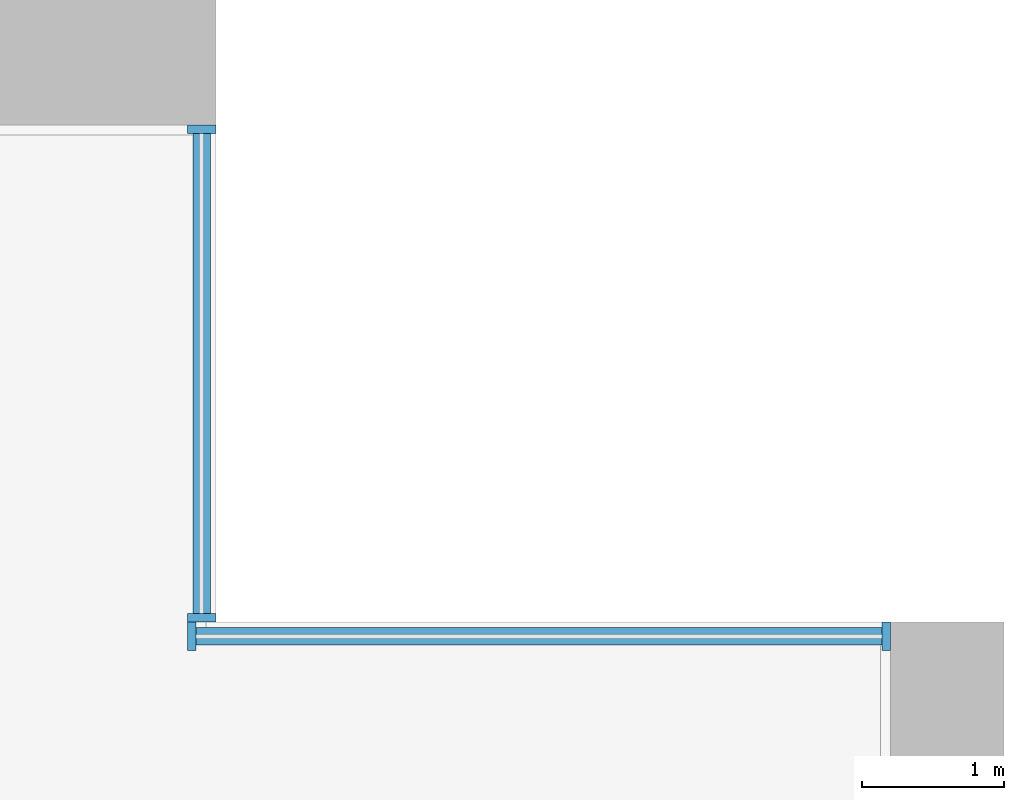
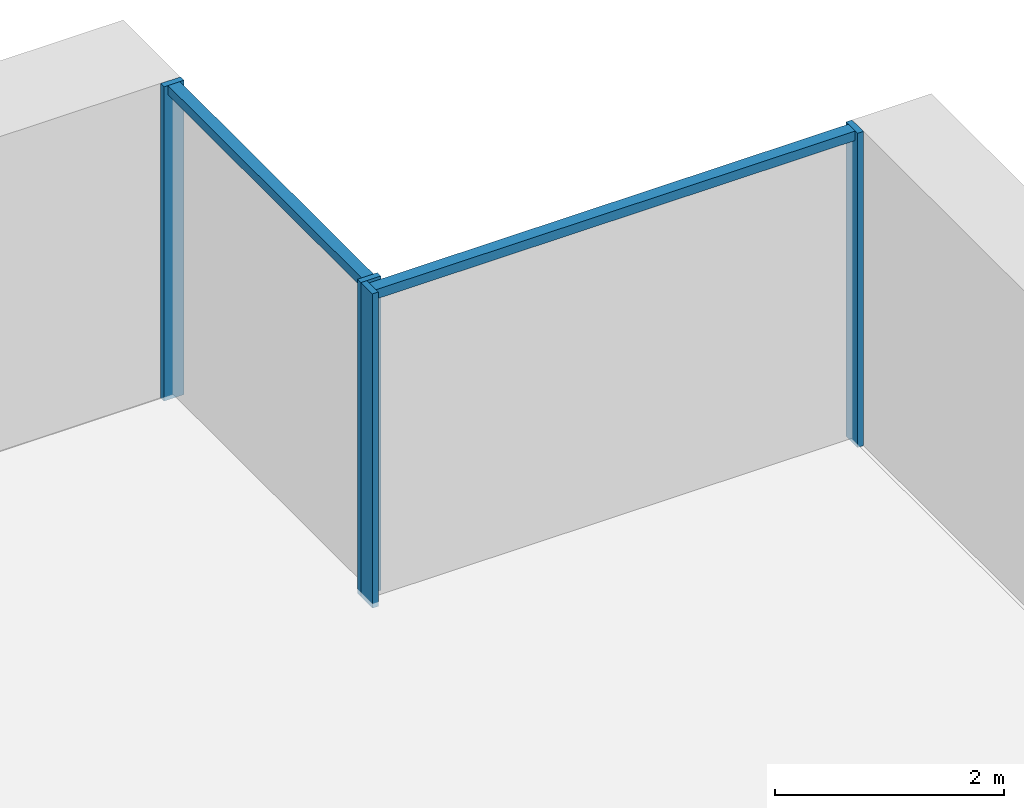
# One storey, part 6 of 18: 6 members, 2 elements without a shape of their own.
"""IFC4 building model written with IfcOpenShell, lengths in metres."""

import ifcopenshell
import ifcopenshell.guid

model = None  # the IFC model being written
_history = None  # IfcOwnerHistory: only IFC2X3 demands one
_inside = {}  # id of a spatial element -> (the spatial element, [elements in it])
_under = {}  # id of a project, library or spatial element -> (it, [spatial elements below it])
_declared = {}  # id of a project -> (the project, [libraries it declares])
_typed = {}  # id of a type object -> (the type object, [elements of that type])
_made_of = {}  # id of a material, layer set ... -> (it, [elements and type objects made of it])


def new_model(schema):
    """Start an empty IFC model of exactly this schema.

    Asked for "IFC4X3", IfcOpenShell would pick the latest addendum, in which some entities
    have other attributes; the version numbers below select the first issue.
    IFC2X3 requires an IfcOwnerHistory on every rooted entity: one is made here for all.
    """
    global model, _history
    if schema == "IFC4X3":
        model = ifcopenshell.file(schema_version=(4, 3, 0, 0))
    else:
        model = ifcopenshell.file(schema=schema)
    _inside.clear()
    _under.clear()
    _declared.clear()
    _typed.clear()
    _made_of.clear()
    _history = None
    if model.schema == "IFC2X3":
        org = make("IfcOrganization", Name="unknown")
        user = make(
            "IfcPersonAndOrganization",
            ThePerson=make("IfcPerson", FamilyName="unknown"),
            TheOrganization=org,
        )
        app = make(
            "IfcApplication",
            ApplicationDeveloper=org,
            Version="unknown",
            ApplicationFullName="unknown",
            ApplicationIdentifier="unknown",
        )
        _history = make(
            "IfcOwnerHistory",
            OwningUser=user,
            OwningApplication=app,
            ChangeAction="ADDED",
            CreationDate=0,
        )
    return model


def make(cls, **values):
    """One entity of the class cls with the attributes given. An attribute that is None is left unset."""
    return model.create_entity(
        cls, **{name: value for name, value in values.items() if value is not None}
    )


def rooted(cls, **values):
    """An entity with a GlobalId (a new one), such as an element, a storey or a relation."""
    return make(cls, GlobalId=ifcopenshell.guid.new(), OwnerHistory=_history, **values)


def si_unit(unit_type, name, prefix=None):
    """IfcSIUnit, for example si_unit("LENGTHUNIT", "METRE", prefix="MILLI")."""
    return make("IfcSIUnit", UnitType=unit_type, Prefix=prefix, Name=name)


def assignment(units):
    """IfcUnitAssignment: the units of a project."""
    return None if units is None else make("IfcUnitAssignment", Units=units)


def point(xyz):
    """IfcCartesianPoint."""
    return None if xyz is None else make("IfcCartesianPoint", Coordinates=xyz)


def direction(xyz):
    """IfcDirection."""
    return None if xyz is None else make("IfcDirection", DirectionRatios=xyz)


def frame(location, z_axis=None, x_axis=None):
    """IfcAxis2Placement3D, a coordinate frame: its origin and axes. An axis left out is left unset."""
    return make(
        "IfcAxis2Placement3D",
        Location=point(location),
        Axis=direction(z_axis),
        RefDirection=direction(x_axis),
    )


def frame_2d(location, x_axis=None):
    """IfcAxis2Placement2D, a coordinate frame in the plane: its origin and x axis."""
    return make(
        "IfcAxis2Placement2D", Location=point(location), RefDirection=direction(x_axis)
    )


def origin():
    """The frame at (0, 0, 0) with its axes left unset."""
    return frame((0.0, 0.0, 0.0))


def origin_2d():
    """The frame at (0, 0) in the plane with its x axis left unset."""
    return frame_2d((0.0, 0.0))


def place(relative_to, where):
    """IfcLocalPlacement: puts the frame where relative to a parent placement (None: the world)."""
    return make(
        "IfcLocalPlacement", PlacementRelTo=relative_to, RelativePlacement=where
    )


def context(
    kind, dimensions, precision=None, world=None, true_north=None, identifier=None
):
    """IfcGeometricRepresentationContext, for example the 3D "Model" context."""
    return make(
        "IfcGeometricRepresentationContext",
        ContextIdentifier=identifier,
        ContextType=kind,
        CoordinateSpaceDimension=dimensions,
        Precision=precision,
        WorldCoordinateSystem=world,
        TrueNorth=true_north,
    )


def subcontext(parent, identifier, kind, view, scale=None):
    """IfcGeometricRepresentationSubContext, for example "Body" below "Model"."""
    return make(
        "IfcGeometricRepresentationSubContext",
        ContextIdentifier=identifier,
        ContextType=kind,
        ParentContext=parent,
        TargetScale=scale,
        TargetView=view,
    )


def project(units=None, contexts=None):
    """IfcProject with its units and contexts."""
    return rooted(
        "IfcProject",
        Name="project",
        RepresentationContexts=contexts,
        UnitsInContext=assignment(units),
    )


def spatial(cls, under=None, at=None, **own):
    """A site, building, storey or space (cls), placed at a placement, below another one or the project."""
    s = rooted(cls, ObjectPlacement=at, **own)
    if under is not None:
        _under.setdefault(under.id(), (under, []))[1].append(s)
    return s


def profile(cls, at=None, kind="AREA", **sizes):
    """A parametric profile (cls). Its sizes go by their IFC names, for example OverallWidth=200.0."""
    return make(cls, ProfileType=kind, Position=at, **sizes)


def rectangle(**sizes):
    """IfcRectangleProfileDef."""
    return profile("IfcRectangleProfileDef", **sizes)


def extrude(swept, where, along, depth):
    """IfcExtrudedAreaSolid: the profile swept, set in the frame where, extruded along a direction by depth."""
    return make(
        "IfcExtrudedAreaSolid",
        SweptArea=swept,
        Position=where,
        ExtrudedDirection=direction(along),
        Depth=depth,
    )


def shape(context_of_items, identifier, shape_type, items):
    """IfcShapeRepresentation: the items that make up one representation, for example the "Body"."""
    return make(
        "IfcShapeRepresentation",
        ContextOfItems=context_of_items,
        RepresentationIdentifier=identifier,
        RepresentationType=shape_type,
        Items=items,
    )


def material(Name=None, Category=None):
    """IfcMaterial."""
    return make("IfcMaterial", Name=Name, Category=Category)


def material_profile(
    of_material, cross_section, Name=None, Category=None, Priority=None
):
    """IfcMaterialProfile: a cross section and its material."""
    return make(
        "IfcMaterialProfile",
        Name=Name,
        Material=of_material,
        Profile=cross_section,
        Priority=Priority,
        Category=Category,
    )


def profile_set(profiles, Name=None, composite=None):
    """IfcMaterialProfileSet."""
    return make(
        "IfcMaterialProfileSet",
        Name=Name,
        MaterialProfiles=profiles,
        CompositeProfile=composite,
    )


def made_of(thing, what):
    """Note that an element or type object is made of a material, layer set ...; save() writes the relation."""
    if what is not None:
        _made_of.setdefault(what.id(), (what, []))[1].append(thing)
    return thing


def type_object(cls, material=None, **own):
    """A type object (cls), such as IfcWallType, which elements share."""
    return made_of(rooted(cls, **own), material)


def element(
    cls,
    number,
    at=None,
    inside=None,
    cuts=None,
    type_object=None,
    material=None,
    context=None,
    identifier="Body",
    shape_type=None,
    held_by="IfcProductDefinitionShape",
    body=None,
    shapes=None,
    **own,
):
    """One element of the class cls, such as IfcWall. Its Tag is "e" and its number.

    at: its placement. inside: the storey or other place that contains it. cuts: it is an
    opening in that element (IfcRelVoidsElement). A single representation is given by context,
    identifier, shape_type and body (its items); several are given by shapes. held_by: the class
    of the entity that holds the representations. save() writes the other relations.
    """
    e = rooted(cls, Tag="e%d" % number, ObjectPlacement=at, **own)
    if body is not None:
        shapes = [shape(context, identifier, shape_type, body)]
    if shapes is not None:
        e.Representation = make(held_by, Representations=shapes)
    if inside is not None:
        _inside.setdefault(inside.id(), (inside, []))[1].append(e)
    if cuts is not None:
        rooted(
            "IfcRelVoidsElement", RelatingBuildingElement=cuts, RelatedOpeningElement=e
        )
    if type_object is not None:
        _typed.setdefault(type_object.id(), (type_object, []))[1].append(e)
    return made_of(e, material)


def aggregate(whole, parts):
    """IfcRelAggregates: a whole, such as a stair, and the parts it consists of."""
    return rooted("IfcRelAggregates", RelatingObject=whole, RelatedObjects=parts)


def save(model, path):
    """Write the relations noted so far, then the file.

    IfcRelAggregates (storeys below a building ...), IfcRelContainedInSpatialStructure (elements
    in a storey), IfcRelDefinesByType, IfcRelAssociatesMaterial and IfcRelDeclares: one each for
    every whole, place, type object, material and project.
    """
    for whole, parts in _under.values():
        aggregate(whole, parts)
    for where, things in _inside.values():
        rooted(
            "IfcRelContainedInSpatialStructure",
            RelatedElements=things,
            RelatingStructure=where,
        )
    for kind, things in _typed.values():
        rooted("IfcRelDefinesByType", RelatedObjects=things, RelatingType=kind)
    for what, things in _made_of.values():
        rooted("IfcRelAssociatesMaterial", RelatedObjects=things, RelatingMaterial=what)
    for by, libraries in _declared.values():
        rooted("IfcRelDeclares", RelatingContext=by, RelatedDefinitions=libraries)
    model.write(path)


model = new_model("IFC4")

# Units and contexts
model_context = context("Model", 3, precision=1e-05, world=origin(), true_north=direction((0.0, 1.0)))
body_context = subcontext(model_context, "Body", "Model", "MODEL_VIEW")
ifc_project = project(units=[si_unit("LENGTHUNIT", "METRE"), si_unit("AREAUNIT", "SQUARE_METRE"), si_unit("VOLUMEUNIT", "CUBIC_METRE"), si_unit("PLANEANGLEUNIT", "RADIAN"), si_unit("MASSUNIT", "GRAM", prefix="KILO")], contexts=[model_context])

# Site, building, storey
site_placement = place(None, origin())
site = spatial("IfcSite", under=ifc_project, at=site_placement, CompositionType="ELEMENT")
building_placement = place(site_placement, origin())
building = spatial("IfcBuilding", under=site, at=building_placement, Name="Calvaro Tower", CompositionType="ELEMENT")
storey_placement = place(building_placement, frame((0.0, 0.0, 33.75)))
storey = spatial("IfcBuildingStorey", under=building, at=storey_placement, Name="L07", CompositionType="ELEMENT", Elevation=33.75)

# Curtain wall, members
ifc_material_1 = material(Name="Anodised aluminium", Category="aluminium")
curtain_wall_type = type_object("IfcCurtainWallType", Name="Office curtain wall, lower zone", PredefinedType="NOTDEFINED", material=ifc_material_1)
curtain_wall_1_placement = place(storey_placement, origin())
curtain_wall_1 = element("IfcCurtainWall", 1, at=curtain_wall_1_placement, inside=storey, type_object=curtain_wall_type, Name="CW1 corner curtain wall", PredefinedType="NOTDEFINED")
ifc_material_2 = material(Name="Anodised aluminium", Category="aluminium")
ifc_material_profile_1 = material_profile(ifc_material_2, rectangle(XDim=0.199951171875, YDim=0.06005859375, at=origin_2d()), Name="Mullion S1 60 x 200")
ifc_profile_set_1 = profile_set([ifc_material_profile_1], Name="Anodised aluminium")
member_type_1 = type_object("IfcMemberType", Name="Mullion S1 60 x 200", PredefinedType="MULLION", material=ifc_profile_set_1)
member_1_placement = place(storey_placement, frame((72.35009765625, 41.530029296875, 0.0), z_axis=(0.0, 0.0, 1.0), x_axis=(-1.0, 0.0, 0.0)))
member_1 = element("IfcMember", 2, at=member_1_placement, type_object=member_type_1, Name="CW1 mullion 1", PredefinedType="MULLION", context=body_context, shape_type="SweptSolid", body=[
    extrude(rectangle(XDim=0.199951171875, YDim=0.06005859375, at=origin_2d()), origin(), (0.0, 0.0, 1.0), 3.35009765625),
])
member_2_placement = place(storey_placement, frame((72.35009765625, 44.969970703125, 0.0), z_axis=(0.0, 0.0, 1.0), x_axis=(-1.0, 0.0, 0.0)))
member_2 = element("IfcMember", 3, at=member_2_placement, type_object=member_type_1, Name="CW1 mullion 2", PredefinedType="MULLION", context=body_context, shape_type="SweptSolid", body=[
    extrude(rectangle(XDim=0.199951171875, YDim=0.06005859375, at=origin_2d()), origin(), (0.0, 0.0, 1.0), 3.35009765625),
])

curtain_wall_2_placement = place(storey_placement, origin())
curtain_wall_2 = element("IfcCurtainWall", 4, at=curtain_wall_2_placement, inside=storey, type_object=curtain_wall_type, Name="CW1 corner curtain wall", PredefinedType="NOTDEFINED")
member_3_placement = place(storey_placement, frame((72.280029296875, 41.39990234375, 0.0), z_axis=(0.0, 0.0, 1.0), x_axis=(0.0, 1.0, 0.0)))
member_3 = element("IfcMember", 5, at=member_3_placement, type_object=member_type_1, Name="CW1 mullion 1", PredefinedType="MULLION", context=body_context, shape_type="SweptSolid", body=[
    extrude(rectangle(XDim=0.199951171875, YDim=0.06005859375, at=origin_2d()), origin(), (0.0, 0.0, 1.0), 3.35009765625),
])
member_4_placement = place(storey_placement, frame((77.169921875, 41.39990234375, 0.0), z_axis=(0.0, 0.0, 1.0), x_axis=(0.0, 1.0, 0.0)))
member_4 = element("IfcMember", 6, at=member_4_placement, type_object=member_type_1, Name="CW1 mullion 2", PredefinedType="MULLION", context=body_context, shape_type="SweptSolid", body=[
    extrude(rectangle(XDim=0.199951171875, YDim=0.06005859375, at=origin_2d()), origin(), (0.0, 0.0, 1.0), 3.35009765625),
])

# Member
ifc_material_3 = material(Name="Anodised aluminium", Category="aluminium")
ifc_material_profile_2 = material_profile(ifc_material_3, rectangle(XDim=0.1201171875, YDim=0.10009765625, at=origin_2d()), Name="Transom S1 100 x 120")
ifc_profile_set_2 = profile_set([ifc_material_profile_2], Name="Anodised aluminium")
member_type_2 = type_object("IfcMemberType", Name="Transom S1 100 x 120", PredefinedType="USERDEFINED", material=ifc_profile_set_2)
member_5_placement = place(storey_placement, frame((72.35009765625, 41.56005859375, 3.300048828125), z_axis=(0.0, 1.0, 0.0), x_axis=(-1.0, 0.0, 0.0)))
member_5 = element("IfcMember", 7, at=member_5_placement, type_object=member_type_2, Name="CW1 transom 1.1", ObjectType="TRANSOM", PredefinedType="USERDEFINED", context=body_context, shape_type="SweptSolid", body=[
    extrude(rectangle(XDim=0.1201171875, YDim=0.10009765625, at=origin_2d()), origin(), (0.0, 0.0, 1.0), 3.3798828125),
])

aggregate(curtain_wall_1, [member_1, member_2, member_5])

member_6_placement = place(storey_placement, frame((72.31005859375, 41.39990234375, 3.300048828125), z_axis=(1.0, 0.0, 0.0), x_axis=(0.0, 1.0, 0.0)))
member_6 = element("IfcMember", 8, at=member_6_placement, type_object=member_type_2, Name="CW1 transom 1.1", ObjectType="TRANSOM", PredefinedType="USERDEFINED", context=body_context, shape_type="SweptSolid", body=[
    extrude(rectangle(XDim=0.1201171875, YDim=0.10009765625, at=origin_2d()), origin(), (0.0, 0.0, 1.0), 4.829833984375),
])

aggregate(curtain_wall_2, [member_3, member_4, member_6])

save(model, "model.ifc")
